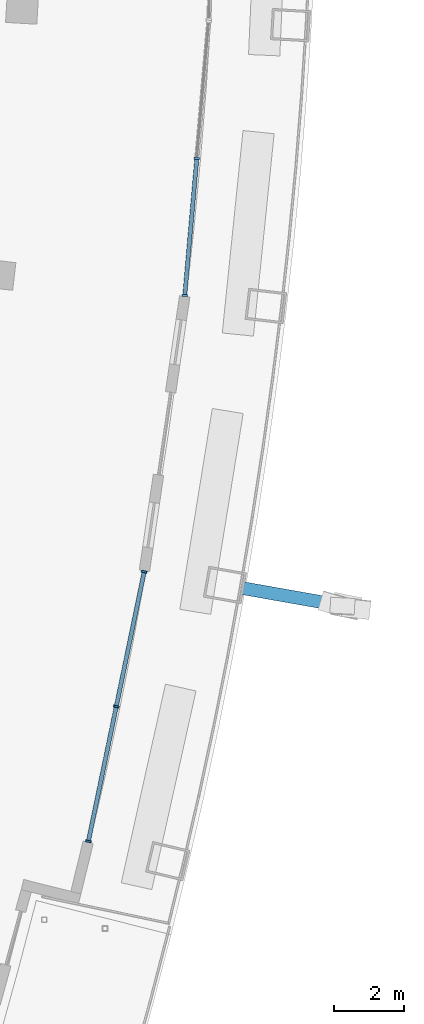
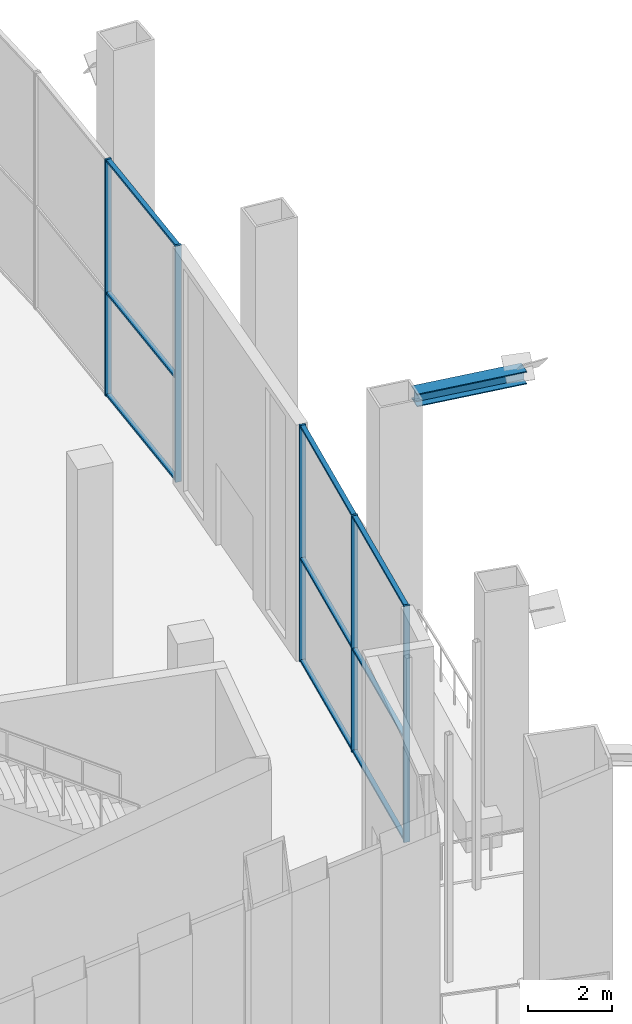
# One storey, part 9 of 26: 15 members, 2 elements without a shape of their own.
"""IFC4 building model written with IfcOpenShell, lengths in metres."""

from ifc_helpers import new_model, si_unit, direction, frame, origin, origin_2d, place, context, subcontext, project, spatial, rectangle, i_section, extrude, material, layer, layer_set, material_profile, profile_set, type_object, element, aggregate, save


model = new_model("IFC4")

# Units and contexts
model_context = context("Model", 3, precision=1e-05, world=origin(), true_north=direction((0.0, 1.0)))
body_context = subcontext(model_context, "Body", "Model", "MODEL_VIEW")
ifc_project = project(units=[si_unit("LENGTHUNIT", "METRE"), si_unit("AREAUNIT", "SQUARE_METRE"), si_unit("VOLUMEUNIT", "CUBIC_METRE"), si_unit("PLANEANGLEUNIT", "RADIAN"), si_unit("MASSUNIT", "GRAM", prefix="KILO")], contexts=[model_context])

# Site, building, storey
site_placement = place(None, origin())
site = spatial("IfcSite", under=ifc_project, at=site_placement, CompositionType="ELEMENT")
building_placement = place(site_placement, origin())
building = spatial("IfcBuilding", under=site, at=building_placement, Name="Alderwake Tower", CompositionType="ELEMENT")
storey_placement = place(building_placement, frame((0.0, 0.0, 182.0)))
storey = spatial("IfcBuildingStorey", under=building, at=storey_placement, Name="L45", CompositionType="ELEMENT", Elevation=182.0)

# Member
ifc_material_1 = material(Name="Steel ASTM A992 Grade 50", Category="steel")
ifc_material_profile_1 = material_profile(ifc_material_1, i_section(OverallWidth=0.3740234375, OverallDepth=0.372314453125, WebThickness=0.016357421875, FlangeThickness=0.026123046875, at=origin_2d()), Name="W14X132")
ifc_profile_set_1 = profile_set([ifc_material_profile_1], Name="Steel ASTM A992 Grade 50")
member_type_1 = type_object("IfcMemberType", Name="Brace node stub W14X132", PredefinedType="MEMBER", material=ifc_profile_set_1)
member_1_placement = place(storey_placement, frame((57.369384765625, 36.7119140625, 6.993896484375), z_axis=(0.984725252024, -0.174115415823, 0.0), x_axis=(0.174115415823, 0.984725252024, 0.0)))
element("IfcMember", 1, at=member_1_placement, inside=storey, type_object=member_type_1, Name="Brace node stub BS.FR04-C5.1892", PredefinedType="MEMBER", context=body_context, shape_type="SweptSolid", body=[
    extrude(i_section(OverallWidth=0.3740234375, OverallDepth=0.372314453125, WebThickness=0.016357421875, FlangeThickness=0.026123046875, at=origin_2d()), origin(), (0.0, 0.0, 1.0), 2.78466796875),
])

# Curtain wall, members
ifc_material_2 = material(Name="Bronze tinted glass in aluminium frame", Category="aluminium")
ifc_layer = layer(ifc_material_2, 0.199951171875)
ifc_layer_set = layer_set([ifc_layer], Name="Curtain wall CW3 sky garden glazing")
curtain_wall_type = type_object("IfcCurtainWallType", Name="Curtain wall CW3 sky garden glazing", PredefinedType="NOTDEFINED", material=ifc_layer_set)
curtain_wall_1_placement = place(storey_placement, origin())
curtain_wall_1 = element("IfcCurtainWall", 2, at=curtain_wall_1_placement, inside=storey, type_object=curtain_wall_type, Name="Curtain wall 2", PredefinedType="NOTDEFINED")
ifc_material_3 = material(Name="Aluminium bronze anodised", Category="aluminium")
ifc_material_profile_2 = material_profile(ifc_material_3, rectangle(XDim=0.159912109375, YDim=0.06005859375, at=origin_2d()), Name="Mullion MUC 60x160")
ifc_profile_set_2 = profile_set([ifc_material_profile_2], Name="Aluminium bronze anodised")
member_type_2 = type_object("IfcMemberType", Name="Mullion MUC 60x160", PredefinedType="MULLION", material=ifc_profile_set_2)
member_2_placement = place(storey_placement, frame((52.95263671875, 29.431396484375, 0.0), z_axis=(0.0, 0.0, 1.0), x_axis=(-0.979231148586, 0.202747028679, 0.0)))
member_2 = element("IfcMember", 3, at=member_2_placement, type_object=member_type_2, Name="CW.02 mullion 1", PredefinedType="MULLION", context=body_context, shape_type="SweptSolid", body=[
    extrude(rectangle(XDim=0.159912109375, YDim=0.06005859375, at=origin_2d()), origin(), (0.0, 0.0, 1.0), 6.8798828125),
])
member_3_placement = place(storey_placement, frame((53.7548828125, 33.305908203125, 0.0), z_axis=(0.0, 0.0, 1.0), x_axis=(-0.979231148586, 0.202747028679, 0.0)))
member_3 = element("IfcMember", 4, at=member_3_placement, type_object=member_type_2, Name="CW.02 mullion 2", PredefinedType="MULLION", context=body_context, shape_type="SweptSolid", body=[
    extrude(rectangle(XDim=0.159912109375, YDim=0.06005859375, at=origin_2d()), origin(), (0.0, 0.0, 1.0), 6.8798828125),
])
member_4_placement = place(storey_placement, frame((54.55712890625, 37.18017578125, 0.0), z_axis=(0.0, 0.0, 1.0), x_axis=(-0.979231148586, 0.202747028679, 0.0)))
member_4 = element("IfcMember", 5, at=member_4_placement, type_object=member_type_2, Name="CW.02 mullion 3", PredefinedType="MULLION", context=body_context, shape_type="SweptSolid", body=[
    extrude(rectangle(XDim=0.159912109375, YDim=0.06005859375, at=origin_2d()), origin(), (0.0, 0.0, 1.0), 6.8798828125),
])

curtain_wall_2_placement = place(storey_placement, origin())
curtain_wall_2 = element("IfcCurtainWall", 6, at=curtain_wall_2_placement, inside=storey, type_object=curtain_wall_type, Name="Curtain wall 3", PredefinedType="NOTDEFINED")
member_5_placement = place(storey_placement, frame((55.7236328125, 45.1220703125, 0.0), z_axis=(0.0, 0.0, 1.0), x_axis=(-0.996173842806, 0.087393792168, 0.0)))
member_5 = element("IfcMember", 7, at=member_5_placement, type_object=member_type_2, Name="CW.03 mullion 1", PredefinedType="MULLION", context=body_context, shape_type="SweptSolid", body=[
    extrude(rectangle(XDim=0.159912109375, YDim=0.06005859375, at=origin_2d()), origin(), (0.0, 0.0, 1.0), 6.8798828125),
])
member_6_placement = place(storey_placement, frame((56.0693359375, 49.0634765625, 0.0), z_axis=(0.0, 0.0, 1.0), x_axis=(-0.996173842806, 0.087393792168, 0.0)))
member_6 = element("IfcMember", 8, at=member_6_placement, type_object=member_type_2, Name="CW.03 mullion 2", PredefinedType="MULLION", context=body_context, shape_type="SweptSolid", body=[
    extrude(rectangle(XDim=0.159912109375, YDim=0.06005859375, at=origin_2d()), origin(), (0.0, 0.0, 1.0), 6.8798828125),
])

# Member
ifc_material_4 = material(Name="Aluminium bronze anodised", Category="aluminium")
ifc_material_profile_3 = material_profile(ifc_material_4, rectangle(XDim=0.1201171875, YDim=0.06005859375, at=origin_2d()), Name="Transom TRC 60x120")
ifc_profile_set_3 = profile_set([ifc_material_profile_3], Name="Aluminium bronze anodised")
member_type_3 = type_object("IfcMemberType", Name="Transom TRC 60x120", PredefinedType="USERDEFINED", material=ifc_profile_set_3)
member_7_placement = place(storey_placement, frame((52.958740234375, 29.4609375, 0.030029296875), z_axis=(0.202763069427, 0.979227827258, 0.0), x_axis=(-0.979227827258, 0.202763069427, 0.0)))
member_7 = element("IfcMember", 9, at=member_7_placement, type_object=member_type_3, Name="CW.02 transom 1.1", ObjectType="TRANSOM", PredefinedType="USERDEFINED", context=body_context, shape_type="SweptSolid", body=[
    extrude(rectangle(XDim=0.1201171875, YDim=0.06005859375, at=origin_2d()), origin(), (0.0, 0.0, 1.0), 3.896484375),
])

member_8_placement = place(storey_placement, frame((52.958740234375, 29.4609375, 3.0), z_axis=(0.202763069427, 0.979227827258, 0.0), x_axis=(-0.979227827258, 0.202763069427, 0.0)))
member_8 = element("IfcMember", 10, at=member_8_placement, type_object=member_type_3, Name="CW.02 transom 1.2", ObjectType="TRANSOM", PredefinedType="USERDEFINED", context=body_context, shape_type="SweptSolid", body=[
    extrude(rectangle(XDim=0.1201171875, YDim=0.06005859375, at=origin_2d()), origin(), (0.0, 0.0, 1.0), 3.896484375),
])

member_9_placement = place(storey_placement, frame((52.958740234375, 29.4609375, 6.85009765625), z_axis=(0.202763069427, 0.979227827258, 0.0), x_axis=(-0.979227827258, 0.202763069427, 0.0)))
member_9 = element("IfcMember", 11, at=member_9_placement, type_object=member_type_3, Name="CW.02 transom 1.3", ObjectType="TRANSOM", PredefinedType="USERDEFINED", context=body_context, shape_type="SweptSolid", body=[
    extrude(rectangle(XDim=0.1201171875, YDim=0.06005859375, at=origin_2d()), origin(), (0.0, 0.0, 1.0), 3.896484375),
])

member_10_placement = place(storey_placement, frame((53.760986328125, 33.335205078125, 0.030029296875), z_axis=(0.202763069427, 0.979227827258, 0.0), x_axis=(-0.979227827258, 0.202763069427, 0.0)))
member_10 = element("IfcMember", 12, at=member_10_placement, type_object=member_type_3, Name="CW.02 transom 2.1", ObjectType="TRANSOM", PredefinedType="USERDEFINED", context=body_context, shape_type="SweptSolid", body=[
    extrude(rectangle(XDim=0.1201171875, YDim=0.06005859375, at=origin_2d()), origin(), (0.0, 0.0, 1.0), 3.896484375),
])

member_11_placement = place(storey_placement, frame((53.760986328125, 33.335205078125, 3.0), z_axis=(0.202763069427, 0.979227827258, 0.0), x_axis=(-0.979227827258, 0.202763069427, 0.0)))
member_11 = element("IfcMember", 13, at=member_11_placement, type_object=member_type_3, Name="CW.02 transom 2.2", ObjectType="TRANSOM", PredefinedType="USERDEFINED", context=body_context, shape_type="SweptSolid", body=[
    extrude(rectangle(XDim=0.1201171875, YDim=0.06005859375, at=origin_2d()), origin(), (0.0, 0.0, 1.0), 3.896484375),
])

member_12_placement = place(storey_placement, frame((53.760986328125, 33.335205078125, 6.85009765625), z_axis=(0.202763069427, 0.979227827258, 0.0), x_axis=(-0.979227827258, 0.202763069427, 0.0)))
member_12 = element("IfcMember", 14, at=member_12_placement, type_object=member_type_3, Name="CW.02 transom 2.3", ObjectType="TRANSOM", PredefinedType="USERDEFINED", context=body_context, shape_type="SweptSolid", body=[
    extrude(rectangle(XDim=0.1201171875, YDim=0.06005859375, at=origin_2d()), origin(), (0.0, 0.0, 1.0), 3.896484375),
])

aggregate(curtain_wall_1, [member_2, member_3, member_4, member_7, member_8, member_9, member_10, member_11, member_12])

member_13_placement = place(storey_placement, frame((55.72607421875, 45.15185546875, 0.030029296875), z_axis=(0.087400109282, 0.996173288589, 0.0), x_axis=(-0.996173288589, 0.087400109282, 0.0)))
member_13 = element("IfcMember", 15, at=member_13_placement, type_object=member_type_3, Name="CW.03 transom 1.1", ObjectType="TRANSOM", PredefinedType="USERDEFINED", context=body_context, shape_type="SweptSolid", body=[
    extrude(rectangle(XDim=0.1201171875, YDim=0.06005859375, at=origin_2d()), origin(), (0.0, 0.0, 1.0), 3.896728515625),
])

member_14_placement = place(storey_placement, frame((55.72607421875, 45.15185546875, 3.0), z_axis=(0.087400109282, 0.996173288589, 0.0), x_axis=(-0.996173288589, 0.087400109282, 0.0)))
member_14 = element("IfcMember", 16, at=member_14_placement, type_object=member_type_3, Name="CW.03 transom 1.2", ObjectType="TRANSOM", PredefinedType="USERDEFINED", context=body_context, shape_type="SweptSolid", body=[
    extrude(rectangle(XDim=0.1201171875, YDim=0.06005859375, at=origin_2d()), origin(), (0.0, 0.0, 1.0), 3.896728515625),
])

member_15_placement = place(storey_placement, frame((55.72607421875, 45.15185546875, 6.85009765625), z_axis=(0.087400109282, 0.996173288589, 0.0), x_axis=(-0.996173288589, 0.087400109282, 0.0)))
member_15 = element("IfcMember", 17, at=member_15_placement, type_object=member_type_3, Name="CW.03 transom 1.3", ObjectType="TRANSOM", PredefinedType="USERDEFINED", context=body_context, shape_type="SweptSolid", body=[
    extrude(rectangle(XDim=0.1201171875, YDim=0.06005859375, at=origin_2d()), origin(), (0.0, 0.0, 1.0), 3.896728515625),
])

aggregate(curtain_wall_2, [member_5, member_6, member_13, member_14, member_15])

save(model, "model.ifc")
